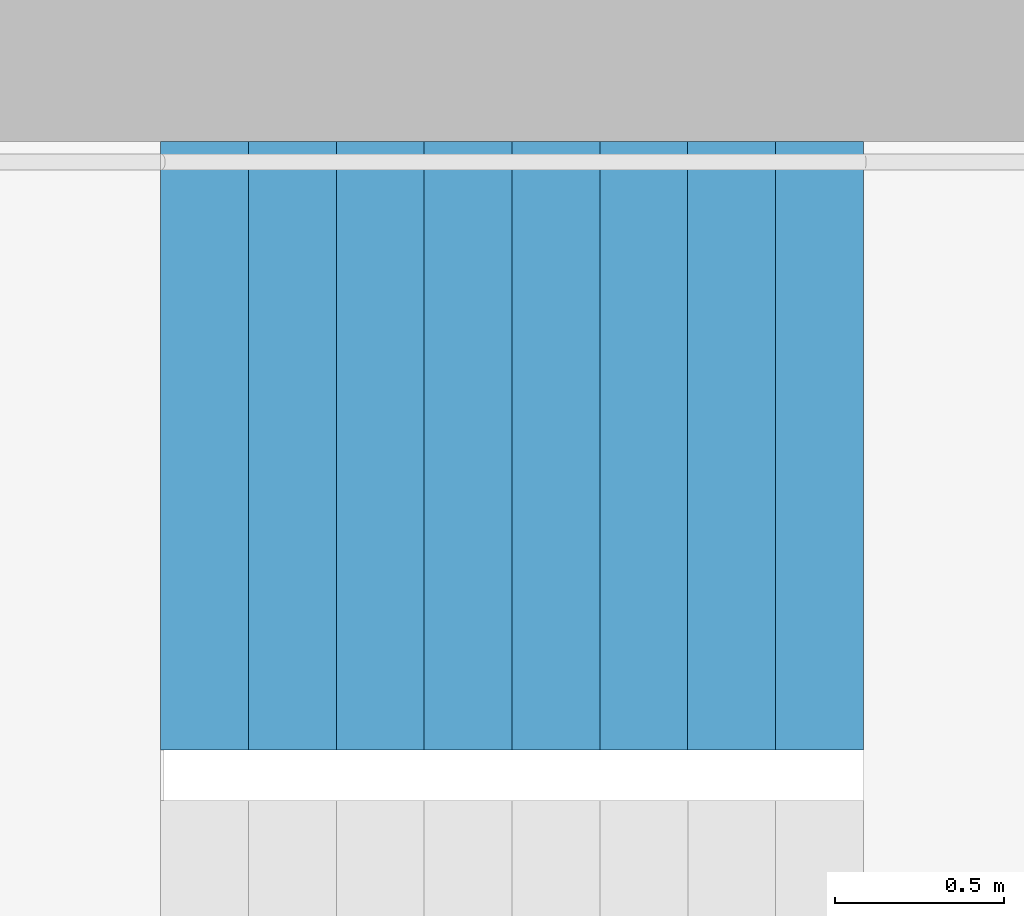
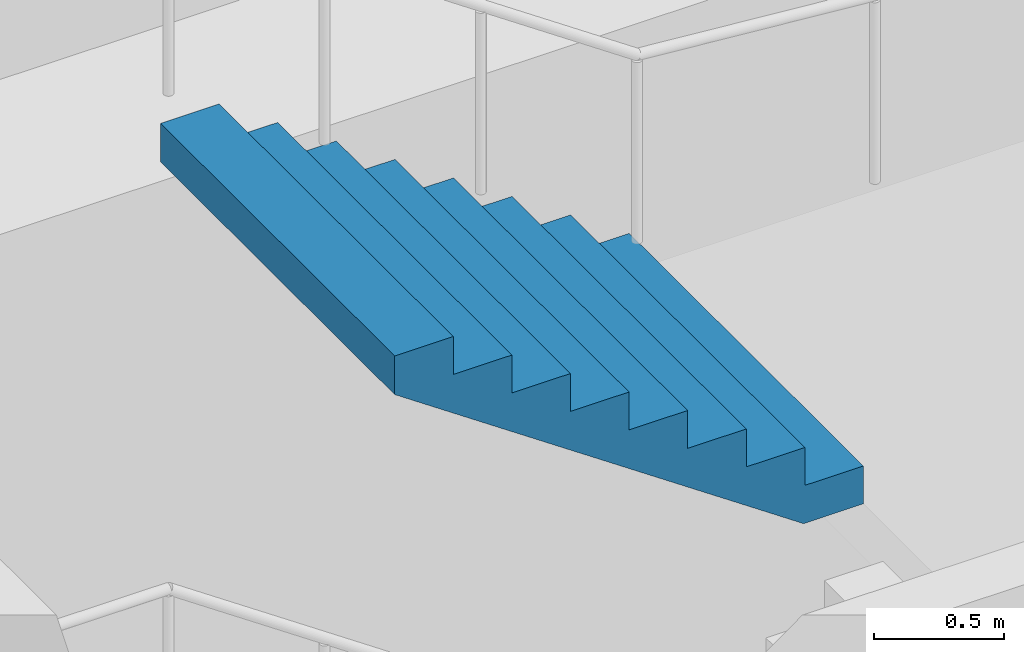
# One storey, part 22 of 41: 1 stair flight, 1 element without a shape of its own.
"""IFC4 building model written with IfcOpenShell, lengths in metres."""

from ifc_helpers import new_model, si_unit, direction, frame, origin, place, context, subcontext, project, spatial, triangles, material, type_object, element, aggregate, save


model = new_model("IFC4")

# Units and contexts
model_context = context("Model", 3, precision=1e-05, world=origin(), true_north=direction((0.0, 1.0)))
body_context = subcontext(model_context, "Body", "Model", "MODEL_VIEW")
ifc_project = project(units=[si_unit("LENGTHUNIT", "METRE"), si_unit("AREAUNIT", "SQUARE_METRE"), si_unit("VOLUMEUNIT", "CUBIC_METRE"), si_unit("PLANEANGLEUNIT", "RADIAN"), si_unit("MASSUNIT", "GRAM", prefix="KILO")], contexts=[model_context])

# Site, building, storey
site_placement = place(None, origin())
site = spatial("IfcSite", under=ifc_project, at=site_placement, CompositionType="ELEMENT")
building_placement = place(site_placement, origin())
building = spatial("IfcBuilding", under=site, at=building_placement, Name="Hakoniwa Tower and Hamabe Station Hall", CompositionType="ELEMENT")
storey_placement = place(building_placement, frame((0.0, 0.0, 180.199951171875)))
storey = spatial("IfcBuildingStorey", under=building, at=storey_placement, Name="L51", CompositionType="ELEMENT", Elevation=180.199951171875)

# Stair, stair flight
ifc_material_1 = material(Name="Concrete C40", Category="concrete")
stair_type = type_object("IfcStairType", Name="ESCAPE STAIR 1800", PredefinedType="HALF_TURN_STAIR", material=ifc_material_1)
stair_placement = place(storey_placement, origin())
stair = element("IfcStair", 1, at=stair_placement, inside=storey, type_object=stair_type, Name="Escape stair ST-1 L51", PredefinedType="HALF_TURN_STAIR")
ifc_material_2 = material(Name="Concrete C40", Category="concrete")
stair_flight_type = type_object("IfcStairFlightType", Name="STAIR FLIGHT 1800", PredefinedType="STRAIGHT", material=ifc_material_2)
stair_flight_placement = place(storey_placement, frame((-22.320068359375, 6.60009765625, 4.800048828125), z_axis=(0.0, 0.0, 1.0), x_axis=(-1.0, 0.0, 0.0)))
stair_flight = element("IfcStairFlight", 2, at=stair_flight_placement, type_object=stair_flight_type, Name="ST-1 flight 4", NumberOfRisers=9, NumberOfTreads=8, PredefinedType="STRAIGHT", RiserHeight=0.177777778, TreadLength=0.26, context=body_context, shape_type="Tessellation", body=[
    triangles([(0.0, 0.89990234375, 0.0), (0.260009765625, 0.89990234375, 0.0), (0.265625, 0.89990234375, 0.0), (0.52001953125, 0.89990234375, 0.174072265625), (0.780029296875, 0.89990234375, 0.351806640625), (1.0400390625, 0.89990234375, 0.529541015625), (1.300048828125, 0.89990234375, 0.707275390625), (1.56005859375, 0.89990234375, 0.885009765625), (1.820068359375, 0.89990234375, 1.062744140625), (2.080078125, 0.89990234375, 1.24072265625), (2.080078125, 0.89990234375, 1.422119140625), (1.820068359375, 0.89990234375, 1.422119140625), (1.820068359375, 0.89990234375, 1.244384765625), (1.56005859375, 0.89990234375, 1.244384765625), (1.56005859375, 0.89990234375, 1.066650390625), (1.300048828125, 0.89990234375, 1.066650390625), (1.300048828125, 0.89990234375, 0.888916015625), (1.0400390625, 0.89990234375, 0.888916015625), (1.0400390625, 0.89990234375, 0.711181640625), (0.780029296875, 0.89990234375, 0.711181640625), (0.780029296875, 0.89990234375, 0.533447265625), (0.52001953125, 0.89990234375, 0.533447265625), (0.52001953125, 0.89990234375, 0.35546875), (0.265625, 0.89990234375, 0.35546875), (0.260009765625, 0.89990234375, 0.35546875), (0.260009765625, 0.89990234375, 0.177734375), (0.0, 0.89990234375, 0.177734375), (0.0, 0.06005859375, 0.0), (0.260009765625, 0.06005859375, 0.0), (0.265625, 0.06005859375, 0.0), (0.52001953125, 0.06005859375, 0.174072265625), (0.780029296875, 0.06005859375, 0.351806640625), (1.0400390625, 0.06005859375, 0.529541015625), (1.300048828125, 0.06005859375, 0.707275390625), (1.56005859375, 0.06005859375, 0.885009765625), (1.820068359375, 0.06005859375, 1.062744140625), (2.080078125, 0.06005859375, 1.24072265625), (2.080078125, 0.06005859375, 1.422119140625), (1.820068359375, 0.06005859375, 1.422119140625), (1.820068359375, 0.06005859375, 1.244384765625), (1.56005859375, 0.06005859375, 1.244384765625), (1.56005859375, 0.06005859375, 1.066650390625), (1.300048828125, 0.06005859375, 1.066650390625), (1.300048828125, 0.06005859375, 0.888916015625), (1.0400390625, 0.06005859375, 0.888916015625), (1.0400390625, 0.06005859375, 0.711181640625), (0.780029296875, 0.06005859375, 0.711181640625), (0.780029296875, 0.06005859375, 0.533447265625), (0.52001953125, 0.06005859375, 0.533447265625), (0.52001953125, 0.06005859375, 0.35546875), (0.265625, 0.06005859375, 0.35546875), (0.260009765625, 0.06005859375, 0.35546875), (0.260009765625, 0.06005859375, 0.177734375), (0.0, 0.06005859375, 0.177734375), (0.0, 0.04296875, 0.0), (0.260009765625, 0.04296875, 0.0), (0.265625, 0.04296875, 0.0), (0.52001953125, 0.04296875, 0.174072265625), (0.780029296875, 0.04296875, 0.351806640625), (1.0400390625, 0.04296875, 0.529541015625), (1.300048828125, 0.04296875, 0.707275390625), (1.56005859375, 0.04296875, 0.885009765625), (1.820068359375, 0.04296875, 1.062744140625), (2.080078125, 0.04296875, 1.24072265625), (2.080078125, 0.04296875, 1.422119140625), (1.820068359375, 0.04296875, 1.422119140625), (1.820068359375, 0.04296875, 1.244384765625), (1.56005859375, 0.04296875, 1.244384765625), (1.56005859375, 0.04296875, 1.066650390625), (1.300048828125, 0.04296875, 1.066650390625), (1.300048828125, 0.04296875, 0.888916015625), (1.0400390625, 0.04296875, 0.888916015625), (1.0400390625, 0.04296875, 0.711181640625), (0.780029296875, 0.04296875, 0.711181640625), (0.780029296875, 0.04296875, 0.533447265625), (0.52001953125, 0.04296875, 0.533447265625), (0.52001953125, 0.04296875, 0.35546875), (0.265625, 0.04296875, 0.35546875), (0.260009765625, 0.04296875, 0.35546875), (0.260009765625, 0.04296875, 0.177734375), (0.0, 0.04296875, 0.177734375), (0.0, 0.025634765625, 0.0), (0.260009765625, 0.025634765625, 0.0), (0.265625, 0.025634765625, 0.0), (0.52001953125, 0.025634765625, 0.174072265625), (0.780029296875, 0.025634765625, 0.351806640625), (1.0400390625, 0.025634765625, 0.529541015625), (1.300048828125, 0.025634765625, 0.707275390625), (1.56005859375, 0.025634765625, 0.885009765625), (1.820068359375, 0.025634765625, 1.062744140625), (2.080078125, 0.025634765625, 1.24072265625), (2.080078125, 0.025634765625, 1.422119140625), (1.820068359375, 0.025634765625, 1.422119140625), (1.820068359375, 0.025634765625, 1.244384765625), (1.56005859375, 0.025634765625, 1.244384765625), (1.56005859375, 0.025634765625, 1.066650390625), (1.300048828125, 0.025634765625, 1.066650390625), (1.300048828125, 0.025634765625, 0.888916015625), (1.0400390625, 0.025634765625, 0.888916015625), (1.0400390625, 0.025634765625, 0.711181640625), (0.780029296875, 0.025634765625, 0.711181640625), (0.780029296875, 0.025634765625, 0.533447265625), (0.52001953125, 0.025634765625, 0.533447265625), (0.52001953125, 0.025634765625, 0.35546875), (0.265625, 0.025634765625, 0.35546875), (0.260009765625, 0.025634765625, 0.35546875), (0.260009765625, 0.025634765625, 0.177734375), (0.0, 0.025634765625, 0.177734375), (0.0, 0.008544921875, 0.0), (0.260009765625, 0.008544921875, 0.0), (0.265625, 0.008544921875, 0.0), (0.52001953125, 0.008544921875, 0.174072265625), (0.780029296875, 0.008544921875, 0.351806640625), (1.0400390625, 0.008544921875, 0.529541015625), (1.300048828125, 0.008544921875, 0.707275390625), (1.56005859375, 0.008544921875, 0.885009765625), (1.820068359375, 0.008544921875, 1.062744140625), (2.080078125, 0.008544921875, 1.24072265625), (2.080078125, 0.008544921875, 1.422119140625), (1.820068359375, 0.008544921875, 1.422119140625), (1.820068359375, 0.008544921875, 1.244384765625), (1.56005859375, 0.008544921875, 1.244384765625), (1.56005859375, 0.008544921875, 1.066650390625), (1.300048828125, 0.008544921875, 1.066650390625), (1.300048828125, 0.008544921875, 0.888916015625), (1.0400390625, 0.008544921875, 0.888916015625), (1.0400390625, 0.008544921875, 0.711181640625), (0.780029296875, 0.008544921875, 0.711181640625), (0.780029296875, 0.008544921875, 0.533447265625), (0.52001953125, 0.008544921875, 0.533447265625), (0.52001953125, 0.008544921875, 0.35546875), (0.265625, 0.008544921875, 0.35546875), (0.260009765625, 0.008544921875, 0.35546875), (0.260009765625, 0.008544921875, 0.177734375), (0.0, 0.008544921875, 0.177734375), (0.0, -0.008544921875, 0.0), (0.260009765625, -0.008544921875, 0.0), (0.265625, -0.008544921875, 0.0), (0.52001953125, -0.008544921875, 0.174072265625), (0.780029296875, -0.008544921875, 0.351806640625), (1.0400390625, -0.008544921875, 0.529541015625), (1.300048828125, -0.008544921875, 0.707275390625), (1.56005859375, -0.008544921875, 0.885009765625), (1.820068359375, -0.008544921875, 1.062744140625), (2.080078125, -0.008544921875, 1.24072265625), (2.080078125, -0.008544921875, 1.422119140625), (1.820068359375, -0.008544921875, 1.422119140625), (1.820068359375, -0.008544921875, 1.244384765625), (1.56005859375, -0.008544921875, 1.244384765625), (1.56005859375, -0.008544921875, 1.066650390625), (1.300048828125, -0.008544921875, 1.066650390625), (1.300048828125, -0.008544921875, 0.888916015625), (1.0400390625, -0.008544921875, 0.888916015625), (1.0400390625, -0.008544921875, 0.711181640625), (0.780029296875, -0.008544921875, 0.711181640625), (0.780029296875, -0.008544921875, 0.533447265625), (0.52001953125, -0.008544921875, 0.533447265625), (0.52001953125, -0.008544921875, 0.35546875), (0.265625, -0.008544921875, 0.35546875), (0.260009765625, -0.008544921875, 0.35546875), (0.260009765625, -0.008544921875, 0.177734375), (0.0, -0.008544921875, 0.177734375), (0.0, -0.025634765625, 0.0), (0.260009765625, -0.025634765625, 0.0), (0.265625, -0.025634765625, 0.0), (0.52001953125, -0.025634765625, 0.174072265625), (0.780029296875, -0.025634765625, 0.351806640625), (1.0400390625, -0.025634765625, 0.529541015625), (1.300048828125, -0.025634765625, 0.707275390625), (1.56005859375, -0.025634765625, 0.885009765625), (1.820068359375, -0.025634765625, 1.062744140625), (2.080078125, -0.025634765625, 1.24072265625), (2.080078125, -0.025634765625, 1.422119140625), (1.820068359375, -0.025634765625, 1.422119140625), (1.820068359375, -0.025634765625, 1.244384765625), (1.56005859375, -0.025634765625, 1.244384765625), (1.56005859375, -0.025634765625, 1.066650390625), (1.300048828125, -0.025634765625, 1.066650390625), (1.300048828125, -0.025634765625, 0.888916015625), (1.0400390625, -0.025634765625, 0.888916015625), (1.0400390625, -0.025634765625, 0.711181640625), (0.780029296875, -0.025634765625, 0.711181640625), (0.780029296875, -0.025634765625, 0.533447265625), (0.52001953125, -0.025634765625, 0.533447265625), (0.52001953125, -0.025634765625, 0.35546875), (0.265625, -0.025634765625, 0.35546875), (0.260009765625, -0.025634765625, 0.35546875), (0.260009765625, -0.025634765625, 0.177734375), (0.0, -0.025634765625, 0.177734375), (0.0, -0.04296875, 0.0), (0.260009765625, -0.04296875, 0.0), (0.265625, -0.04296875, 0.0), (0.52001953125, -0.04296875, 0.174072265625), (0.780029296875, -0.04296875, 0.351806640625), (1.0400390625, -0.04296875, 0.529541015625), (1.300048828125, -0.04296875, 0.707275390625), (1.56005859375, -0.04296875, 0.885009765625), (1.820068359375, -0.04296875, 1.062744140625), (2.080078125, -0.04296875, 1.24072265625), (2.080078125, -0.04296875, 1.422119140625), (1.820068359375, -0.04296875, 1.422119140625), (1.820068359375, -0.04296875, 1.244384765625), (1.56005859375, -0.04296875, 1.244384765625), (1.56005859375, -0.04296875, 1.066650390625), (1.300048828125, -0.04296875, 1.066650390625), (1.300048828125, -0.04296875, 0.888916015625), (1.0400390625, -0.04296875, 0.888916015625), (1.0400390625, -0.04296875, 0.711181640625), (0.780029296875, -0.04296875, 0.711181640625), (0.780029296875, -0.04296875, 0.533447265625), (0.52001953125, -0.04296875, 0.533447265625), (0.52001953125, -0.04296875, 0.35546875), (0.265625, -0.04296875, 0.35546875), (0.260009765625, -0.04296875, 0.35546875), (0.260009765625, -0.04296875, 0.177734375), (0.0, -0.04296875, 0.177734375), (0.0, -0.06005859375, 0.0), (0.260009765625, -0.06005859375, 0.0), (0.265625, -0.06005859375, 0.0), (0.52001953125, -0.06005859375, 0.174072265625), (0.780029296875, -0.06005859375, 0.351806640625), (1.0400390625, -0.06005859375, 0.529541015625), (1.300048828125, -0.06005859375, 0.707275390625), (1.56005859375, -0.06005859375, 0.885009765625), (1.820068359375, -0.06005859375, 1.062744140625), (2.080078125, -0.06005859375, 1.24072265625), (2.080078125, -0.06005859375, 1.422119140625), (1.820068359375, -0.06005859375, 1.422119140625), (1.820068359375, -0.06005859375, 1.244384765625), (1.56005859375, -0.06005859375, 1.244384765625), (1.56005859375, -0.06005859375, 1.066650390625), (1.300048828125, -0.06005859375, 1.066650390625), (1.300048828125, -0.06005859375, 0.888916015625), (1.0400390625, -0.06005859375, 0.888916015625), (1.0400390625, -0.06005859375, 0.711181640625), (0.780029296875, -0.06005859375, 0.711181640625), (0.780029296875, -0.06005859375, 0.533447265625), (0.52001953125, -0.06005859375, 0.533447265625), (0.52001953125, -0.06005859375, 0.35546875), (0.265625, -0.06005859375, 0.35546875), (0.260009765625, -0.06005859375, 0.35546875), (0.260009765625, -0.06005859375, 0.177734375), (0.0, -0.06005859375, 0.177734375), (0.0, -0.89990234375, 0.0), (0.260009765625, -0.89990234375, 0.0), (0.265625, -0.89990234375, 0.0), (0.52001953125, -0.89990234375, 0.174072265625), (0.780029296875, -0.89990234375, 0.351806640625), (1.0400390625, -0.89990234375, 0.529541015625), (1.300048828125, -0.89990234375, 0.707275390625), (1.56005859375, -0.89990234375, 0.885009765625), (1.820068359375, -0.89990234375, 1.062744140625), (2.080078125, -0.89990234375, 1.24072265625), (2.080078125, -0.89990234375, 1.422119140625), (1.820068359375, -0.89990234375, 1.422119140625), (1.820068359375, -0.89990234375, 1.244384765625), (1.56005859375, -0.89990234375, 1.244384765625), (1.56005859375, -0.89990234375, 1.066650390625), (1.300048828125, -0.89990234375, 1.066650390625), (1.300048828125, -0.89990234375, 0.888916015625), (1.0400390625, -0.89990234375, 0.888916015625), (1.0400390625, -0.89990234375, 0.711181640625), (0.780029296875, -0.89990234375, 0.711181640625), (0.780029296875, -0.89990234375, 0.533447265625), (0.52001953125, -0.89990234375, 0.533447265625), (0.52001953125, -0.89990234375, 0.35546875), (0.265625, -0.89990234375, 0.35546875), (0.260009765625, -0.89990234375, 0.35546875), (0.260009765625, -0.89990234375, 0.177734375), (0.0, -0.89990234375, 0.177734375)], [[2, 27, 26], [245, 269, 270], [2, 1, 27], [245, 270, 244], [3, 25, 24], [246, 267, 268], [3, 26, 25], [246, 268, 269], [3, 2, 26], [246, 269, 245], [4, 24, 23], [247, 266, 267], [4, 3, 24], [247, 267, 246], [5, 22, 21], [248, 264, 265], [5, 23, 22], [248, 265, 266], [5, 4, 23], [248, 266, 247], [6, 20, 19], [249, 262, 263], [6, 21, 20], [249, 263, 264], [6, 5, 21], [249, 264, 248], [7, 18, 17], [250, 260, 261], [7, 19, 18], [250, 261, 262], [7, 6, 19], [250, 262, 249], [8, 16, 15], [251, 258, 259], [8, 17, 16], [251, 259, 260], [8, 7, 17], [251, 260, 250], [9, 14, 13], [252, 256, 257], [9, 15, 14], [252, 257, 258], [9, 8, 15], [252, 258, 251], [10, 12, 11], [253, 254, 255], [10, 13, 12], [253, 255, 256], [10, 9, 13], [253, 256, 252], [1, 2, 29], [1, 29, 28], [28, 29, 56], [28, 56, 55], [55, 56, 83], [55, 83, 82], [82, 83, 110], [82, 110, 109], [109, 110, 137], [109, 137, 136], [136, 137, 164], [136, 164, 163], [163, 164, 191], [163, 191, 190], [190, 191, 218], [190, 218, 217], [217, 218, 245], [217, 245, 244], [2, 3, 30], [2, 30, 29], [29, 30, 57], [29, 57, 56], [56, 57, 84], [56, 84, 83], [83, 84, 111], [83, 111, 110], [110, 111, 138], [110, 138, 137], [137, 138, 165], [137, 165, 164], [164, 165, 192], [164, 192, 191], [191, 192, 219], [191, 219, 218], [218, 219, 246], [218, 246, 245], [3, 4, 31], [3, 31, 30], [30, 31, 58], [30, 58, 57], [57, 58, 85], [57, 85, 84], [84, 85, 112], [84, 112, 111], [111, 112, 139], [111, 139, 138], [138, 139, 166], [138, 166, 165], [165, 166, 193], [165, 193, 192], [192, 193, 220], [192, 220, 219], [219, 220, 247], [219, 247, 246], [4, 5, 32], [4, 32, 31], [31, 32, 59], [31, 59, 58], [58, 59, 86], [58, 86, 85], [85, 86, 113], [85, 113, 112], [112, 113, 140], [112, 140, 139], [139, 140, 167], [139, 167, 166], [166, 167, 194], [166, 194, 193], [193, 194, 221], [193, 221, 220], [220, 221, 248], [220, 248, 247], [5, 6, 33], [5, 33, 32], [32, 33, 60], [32, 60, 59], [59, 60, 87], [59, 87, 86], [86, 87, 114], [86, 114, 113], [113, 114, 141], [113, 141, 140], [140, 141, 168], [140, 168, 167], [167, 168, 195], [167, 195, 194], [194, 195, 222], [194, 222, 221], [221, 222, 249], [221, 249, 248], [6, 7, 34], [6, 34, 33], [33, 34, 61], [33, 61, 60], [60, 61, 88], [60, 88, 87], [87, 88, 115], [87, 115, 114], [114, 115, 142], [114, 142, 141], [141, 142, 169], [141, 169, 168], [168, 169, 196], [168, 196, 195], [195, 196, 223], [195, 223, 222], [222, 223, 250], [222, 250, 249], [7, 8, 35], [7, 35, 34], [34, 35, 62], [34, 62, 61], [61, 62, 89], [61, 89, 88], [88, 89, 116], [88, 116, 115], [115, 116, 143], [115, 143, 142], [142, 143, 170], [142, 170, 169], [169, 170, 197], [169, 197, 196], [196, 197, 224], [196, 224, 223], [223, 224, 251], [223, 251, 250], [8, 9, 36], [8, 36, 35], [35, 36, 63], [35, 63, 62], [62, 63, 90], [62, 90, 89], [89, 90, 117], [89, 117, 116], [116, 117, 144], [116, 144, 143], [143, 144, 171], [143, 171, 170], [170, 171, 198], [170, 198, 197], [197, 198, 225], [197, 225, 224], [224, 225, 252], [224, 252, 251], [9, 10, 37], [9, 37, 36], [36, 37, 64], [36, 64, 63], [63, 64, 91], [63, 91, 90], [90, 91, 118], [90, 118, 117], [117, 118, 145], [117, 145, 144], [144, 145, 172], [144, 172, 171], [171, 172, 199], [171, 199, 198], [198, 199, 226], [198, 226, 225], [225, 226, 253], [225, 253, 252], [10, 11, 38], [10, 38, 37], [37, 38, 65], [37, 65, 64], [64, 65, 92], [64, 92, 91], [91, 92, 119], [91, 119, 118], [118, 119, 146], [118, 146, 145], [145, 146, 173], [145, 173, 172], [172, 173, 200], [172, 200, 199], [199, 200, 227], [199, 227, 226], [226, 227, 254], [226, 254, 253], [11, 12, 39], [11, 39, 38], [38, 39, 66], [38, 66, 65], [65, 66, 93], [65, 93, 92], [92, 93, 120], [92, 120, 119], [119, 120, 147], [119, 147, 146], [146, 147, 174], [146, 174, 173], [173, 174, 201], [173, 201, 200], [200, 201, 228], [200, 228, 227], [227, 228, 255], [227, 255, 254], [12, 13, 40], [12, 40, 39], [39, 40, 67], [39, 67, 66], [66, 67, 94], [66, 94, 93], [93, 94, 121], [93, 121, 120], [120, 121, 148], [120, 148, 147], [147, 148, 175], [147, 175, 174], [174, 175, 202], [174, 202, 201], [201, 202, 229], [201, 229, 228], [228, 229, 256], [228, 256, 255], [13, 14, 41], [13, 41, 40], [40, 41, 68], [40, 68, 67], [67, 68, 95], [67, 95, 94], [94, 95, 122], [94, 122, 121], [121, 122, 149], [121, 149, 148], [148, 149, 176], [148, 176, 175], [175, 176, 203], [175, 203, 202], [202, 203, 230], [202, 230, 229], [229, 230, 257], [229, 257, 256], [14, 15, 42], [14, 42, 41], [41, 42, 69], [41, 69, 68], [68, 69, 96], [68, 96, 95], [95, 96, 123], [95, 123, 122], [122, 123, 150], [122, 150, 149], [149, 150, 177], [149, 177, 176], [176, 177, 204], [176, 204, 203], [203, 204, 231], [203, 231, 230], [230, 231, 258], [230, 258, 257], [15, 16, 43], [15, 43, 42], [42, 43, 70], [42, 70, 69], [69, 70, 97], [69, 97, 96], [96, 97, 124], [96, 124, 123], [123, 124, 151], [123, 151, 150], [150, 151, 178], [150, 178, 177], [177, 178, 205], [177, 205, 204], [204, 205, 232], [204, 232, 231], [231, 232, 259], [231, 259, 258], [16, 17, 44], [16, 44, 43], [43, 44, 71], [43, 71, 70], [70, 71, 98], [70, 98, 97], [97, 98, 125], [97, 125, 124], [124, 125, 152], [124, 152, 151], [151, 152, 179], [151, 179, 178], [178, 179, 206], [178, 206, 205], [205, 206, 233], [205, 233, 232], [232, 233, 260], [232, 260, 259], [17, 18, 45], [17, 45, 44], [44, 45, 72], [44, 72, 71], [71, 72, 99], [71, 99, 98], [98, 99, 126], [98, 126, 125], [125, 126, 153], [125, 153, 152], [152, 153, 180], [152, 180, 179], [179, 180, 207], [179, 207, 206], [206, 207, 234], [206, 234, 233], [233, 234, 261], [233, 261, 260], [18, 19, 46], [18, 46, 45], [45, 46, 73], [45, 73, 72], [72, 73, 100], [72, 100, 99], [99, 100, 127], [99, 127, 126], [126, 127, 154], [126, 154, 153], [153, 154, 181], [153, 181, 180], [180, 181, 208], [180, 208, 207], [207, 208, 235], [207, 235, 234], [234, 235, 262], [234, 262, 261], [19, 20, 47], [19, 47, 46], [46, 47, 74], [46, 74, 73], [73, 74, 101], [73, 101, 100], [100, 101, 128], [100, 128, 127], [127, 128, 155], [127, 155, 154], [154, 155, 182], [154, 182, 181], [181, 182, 209], [181, 209, 208], [208, 209, 236], [208, 236, 235], [235, 236, 263], [235, 263, 262], [20, 21, 48], [20, 48, 47], [47, 48, 75], [47, 75, 74], [74, 75, 102], [74, 102, 101], [101, 102, 129], [101, 129, 128], [128, 129, 156], [128, 156, 155], [155, 156, 183], [155, 183, 182], [182, 183, 210], [182, 210, 209], [209, 210, 237], [209, 237, 236], [236, 237, 264], [236, 264, 263], [21, 22, 49], [21, 49, 48], [48, 49, 76], [48, 76, 75], [75, 76, 103], [75, 103, 102], [102, 103, 130], [102, 130, 129], [129, 130, 157], [129, 157, 156], [156, 157, 184], [156, 184, 183], [183, 184, 211], [183, 211, 210], [210, 211, 238], [210, 238, 237], [237, 238, 265], [237, 265, 264], [22, 23, 50], [22, 50, 49], [49, 50, 77], [49, 77, 76], [76, 77, 104], [76, 104, 103], [103, 104, 131], [103, 131, 130], [130, 131, 158], [130, 158, 157], [157, 158, 185], [157, 185, 184], [184, 185, 212], [184, 212, 211], [211, 212, 239], [211, 239, 238], [238, 239, 266], [238, 266, 265], [23, 24, 51], [23, 51, 50], [50, 51, 78], [50, 78, 77], [77, 78, 105], [77, 105, 104], [104, 105, 132], [104, 132, 131], [131, 132, 159], [131, 159, 158], [158, 159, 186], [158, 186, 185], [185, 186, 213], [185, 213, 212], [212, 213, 240], [212, 240, 239], [239, 240, 267], [239, 267, 266], [24, 25, 52], [24, 52, 51], [51, 52, 79], [51, 79, 78], [78, 79, 106], [78, 106, 105], [105, 106, 133], [105, 133, 132], [132, 133, 160], [132, 160, 159], [159, 160, 187], [159, 187, 186], [186, 187, 214], [186, 214, 213], [213, 214, 241], [213, 241, 240], [240, 241, 268], [240, 268, 267], [25, 26, 53], [25, 53, 52], [52, 53, 80], [52, 80, 79], [79, 80, 107], [79, 107, 106], [106, 107, 134], [106, 134, 133], [133, 134, 161], [133, 161, 160], [160, 161, 188], [160, 188, 187], [187, 188, 215], [187, 215, 214], [214, 215, 242], [214, 242, 241], [241, 242, 269], [241, 269, 268], [26, 27, 54], [26, 54, 53], [53, 54, 81], [53, 81, 80], [80, 81, 108], [80, 108, 107], [107, 108, 135], [107, 135, 134], [134, 135, 162], [134, 162, 161], [161, 162, 189], [161, 189, 188], [188, 189, 216], [188, 216, 215], [215, 216, 243], [215, 243, 242], [242, 243, 270], [242, 270, 269], [27, 1, 28], [27, 28, 54], [54, 28, 55], [54, 55, 81], [81, 55, 82], [81, 82, 108], [108, 82, 109], [108, 109, 135], [135, 109, 136], [135, 136, 162], [162, 136, 163], [162, 163, 189], [189, 163, 190], [189, 190, 216], [216, 190, 217], [216, 217, 243], [243, 217, 244], [243, 244, 270]], closed=True),
])
aggregate(stair, [stair_flight])

save(model, "model.ifc")
